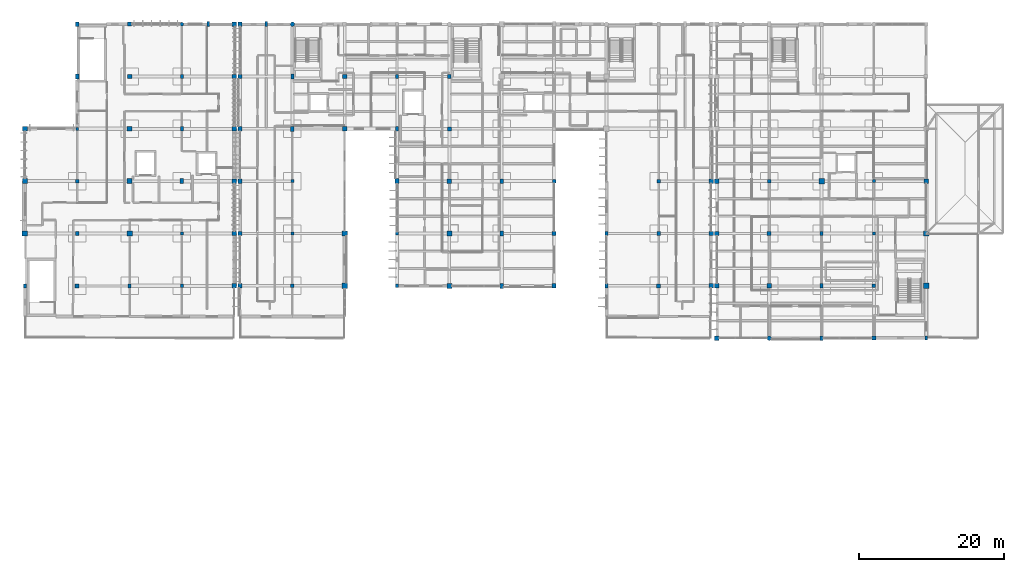
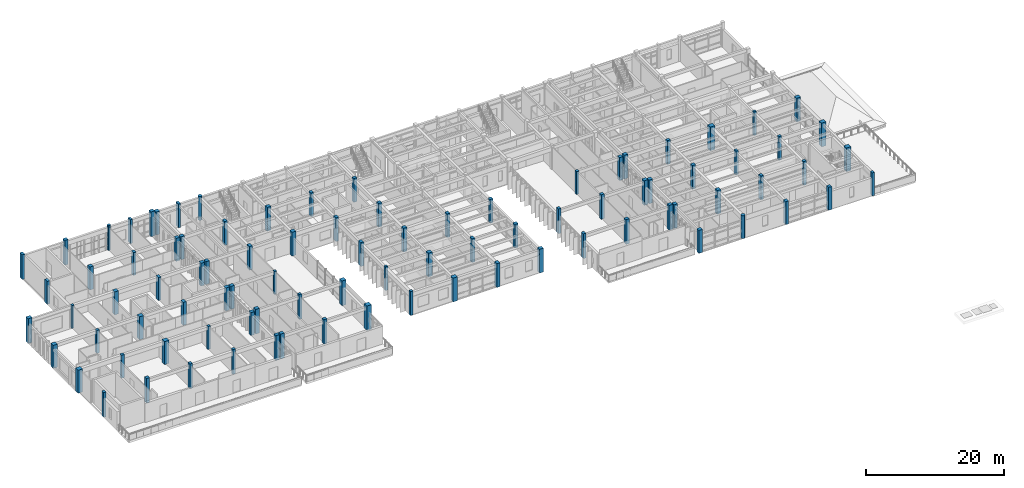
# One storey, part 1 of 55: 90 columns.
"""IFC4 building model written with IfcOpenShell, lengths in metres."""

from ifc_helpers import new_model, si_unit, direction, frame, origin, origin_2d, place, context, subcontext, project, spatial, rectangle, circle, extrude, material, material_profile, profile_set, type_object, element, save


model = new_model("IFC4")

# Units and contexts
model_context = context("Model", 3, precision=1e-05, world=origin(), true_north=direction((0.0, 1.0)))
body_context = subcontext(model_context, "Body", "Model", "MODEL_VIEW")
ifc_project = project(units=[si_unit("LENGTHUNIT", "METRE"), si_unit("AREAUNIT", "SQUARE_METRE"), si_unit("VOLUMEUNIT", "CUBIC_METRE"), si_unit("PLANEANGLEUNIT", "RADIAN"), si_unit("MASSUNIT", "GRAM", prefix="KILO")], contexts=[model_context])

# Site, building, storey
site_placement = place(None, origin())
site = spatial("IfcSite", under=ifc_project, at=site_placement, CompositionType="ELEMENT")
building_placement = place(site_placement, origin())
building = spatial("IfcBuilding", under=site, at=building_placement, Name="Steenspoor Specialist Clinic", CompositionType="ELEMENT")
storey_placement = place(building_placement, frame((0.0, 0.0, 13.199951171875)))
storey = spatial("IfcBuildingStorey", under=building, at=storey_placement, Name="L03", CompositionType="ELEMENT", Elevation=13.199951171875)

# Columns
ifc_material = material(Name="Concrete C40/50", Category="concrete")
ifc_material_profile_1 = material_profile(ifc_material, rectangle(XDim=0.39990234375, YDim=0.39990234375, at=origin_2d()), Name="RC-COL-400X400")
ifc_profile_set_1 = profile_set([ifc_material_profile_1], Name="Concrete C40/50")
column_type_1 = type_object("IfcColumnType", Name="COL-RC-400", PredefinedType="COLUMN", material=ifc_profile_set_1)
column_1_placement = place(storey_placement, frame((59.60009765625, 86.75, 0.0), z_axis=(0.0, 0.0, 1.0), x_axis=(1.0, 0.0, 0.0)))
element("IfcColumn", 1, at=column_1_placement, inside=storey, type_object=column_type_1, Name="Column COL-L03-0221", PredefinedType="COLUMN", context=body_context, shape_type="SweptSolid", body=[
    extrude(rectangle(XDim=0.39990234375, YDim=0.39990234375, at=origin_2d()), origin(), (0.0, 0.0, 1.0), 4.050048828125),
])
column_2_placement = place(storey_placement, frame((74.0, 79.550048828125, 0.0), z_axis=(0.0, 0.0, 1.0), x_axis=(1.0, 0.0, 0.0)))
element("IfcColumn", 2, at=column_2_placement, inside=storey, type_object=column_type_1, Name="Column COL-L03-0279", PredefinedType="COLUMN", context=body_context, shape_type="SweptSolid", body=[
    extrude(rectangle(XDim=0.39990234375, YDim=0.39990234375, at=origin_2d()), origin(), (0.0, 0.0, 1.0), 4.199951171875),
])
for number, where, z_axis, x_axis, name in (
    (3, (30.0, 93.949951171875, 0.0), (0.0, 0.0, 1.0), (1.0, 0.0, 0.0), "Column COL-L03-0553"),
    (4, (44.39990234375, 79.550048828125, 0.0), (0.0, 0.0, 1.0), (1.0, 0.0, 0.0), "Column COL-L03-0599"),
):
    element("IfcColumn", number, at=place(storey_placement, frame(where, z_axis=z_axis, x_axis=x_axis)), inside=storey, type_object=column_type_1, Name=name, PredefinedType="COLUMN", context=body_context, shape_type="SweptSolid", body=[
        extrude(rectangle(XDim=0.39990234375, YDim=0.39990234375, at=origin_2d()), origin(), (0.0, 0.0, 1.0), 4.050048828125),
    ])
column_3_placement = place(storey_placement, frame((139.60009765625, 86.75, 0.0), z_axis=(0.0, 0.0, 1.0), x_axis=(1.0, 0.0, 0.0)))
element("IfcColumn", 5, at=column_3_placement, inside=storey, type_object=column_type_1, Name="Column COL-L03-0762", PredefinedType="COLUMN", context=body_context, shape_type="SweptSolid", body=[
    extrude(rectangle(XDim=0.39990234375, YDim=0.39990234375, at=origin_2d()), origin(), (0.0, 0.0, 1.0), 4.199951171875),
])
ifc_material_profile_2 = material_profile(ifc_material, rectangle(XDim=0.39990234375, YDim=0.550048828125, at=origin_2d()), Name="RC-COL-400X550")
ifc_profile_set_2 = profile_set([ifc_material_profile_2], Name="Concrete C40/50")
column_type_2 = type_object("IfcColumnType", Name="COL-RC-400X550", PredefinedType="COLUMN", material=ifc_profile_set_2)
for number, where, z_axis, x_axis, name in (
    (6, (102.800048828125, 79.550048828125, 0.0), (0.0, 0.0, 1.0), (1.0, 0.0, 0.0), "Column COL-L03-0427"),
    (7, (22.800048828125, 72.35009765625, 0.0), (0.0, 0.0, 1.0), (1.0, 0.0, 0.0), "Column COL-L03-0522"),
    (8, (37.199951171875, 72.35009765625, 0.0), (0.0, 0.0, 1.0), (1.0, 0.0, 0.0), "Column COL-L03-0568"),
):
    element("IfcColumn", number, at=place(storey_placement, frame(where, z_axis=z_axis, x_axis=x_axis)), inside=storey, type_object=column_type_2, Name=name, PredefinedType="COLUMN", context=body_context, shape_type="SweptSolid", body=[
        extrude(rectangle(XDim=0.39990234375, YDim=0.550048828125, at=origin_2d()), origin(), (0.0, 0.0, 1.0), 4.360107421875),
    ])
column_4_placement = place(storey_placement, frame((132.39990234375, 79.550048828125, 0.0), z_axis=(0.0, 0.0, 1.0), x_axis=(1.0, 0.0, 0.0)))
element("IfcColumn", 9, at=column_4_placement, inside=storey, type_object=column_type_2, Name="Column COL-L03-0723", PredefinedType="COLUMN", context=body_context, shape_type="SweptSolid", body=[
    extrude(rectangle(XDim=0.39990234375, YDim=0.550048828125, at=origin_2d()), origin(), (0.0, 0.0, 1.0), 4.199951171875),
])
column_5_placement = place(storey_placement, frame((146.800048828125, 65.14990234375, 0.0), z_axis=(0.0, 0.0, 1.0), x_axis=(1.0, 0.0, 0.0)))
element("IfcColumn", 10, at=column_5_placement, inside=storey, type_object=column_type_2, Name="Column COL-L03-0780", PredefinedType="COLUMN", context=body_context, shape_type="SweptSolid", body=[
    extrude(rectangle(XDim=0.39990234375, YDim=0.550048828125, at=origin_2d()), origin(), (0.0, 0.0, 1.0), 4.050048828125),
])
ifc_material_profile_3 = material_profile(ifc_material, rectangle(XDim=0.449951171875, YDim=0.449951171875, at=origin_2d()), Name="RC-COL-450X450")
ifc_profile_set_3 = profile_set([ifc_material_profile_3], Name="Concrete C40/50")
column_type_3 = type_object("IfcColumnType", Name="COL-RC-450", PredefinedType="COLUMN", material=ifc_profile_set_3)
column_6_placement = place(storey_placement, frame((59.60009765625, 79.550048828125, 0.0), z_axis=(0.0, 0.0, 1.0), x_axis=(1.0, 0.0, 0.0)))
element("IfcColumn", 11, at=column_6_placement, inside=storey, type_object=column_type_3, Name="Column COL-L03-0217", PredefinedType="COLUMN", context=body_context, shape_type="SweptSolid", body=[
    extrude(rectangle(XDim=0.449951171875, YDim=0.449951171875, at=origin_2d()), origin(), (0.0, 0.0, 1.0), 4.360107421875),
])
column_7_placement = place(storey_placement, frame((74.0, 72.35009765625, 0.0), z_axis=(0.0, 0.0, 1.0), x_axis=(1.0, 0.0, 0.0)))
element("IfcColumn", 12, at=column_7_placement, inside=storey, type_object=column_type_3, Name="Column COL-L03-0274", PredefinedType="COLUMN", context=body_context, shape_type="SweptSolid", body=[
    extrude(rectangle(XDim=0.449951171875, YDim=0.449951171875, at=origin_2d()), origin(), (0.0, 0.0, 1.0), 4.199951171875),
])
for number, where, z_axis, x_axis, name in (
    (13, (110.0, 86.75, 0.0), (0.0, 0.0, 1.0), (1.0, 0.0, 0.0), "Column COL-L03-0460"),
    (14, (30.0, 86.75, 0.0), (0.0, 0.0, 1.0), (1.0, 0.0, 0.0), "Column COL-L03-0549"),
):
    element("IfcColumn", number, at=place(storey_placement, frame(where, z_axis=z_axis, x_axis=x_axis)), inside=storey, type_object=column_type_3, Name=name, PredefinedType="COLUMN", context=body_context, shape_type="SweptSolid", body=[
        extrude(rectangle(XDim=0.449951171875, YDim=0.449951171875, at=origin_2d()), origin(), (0.0, 0.0, 1.0), 4.050048828125),
    ])
column_8_placement = place(storey_placement, frame((44.39990234375, 72.35009765625, 0.0), z_axis=(0.0, 0.0, 1.0), x_axis=(1.0, 0.0, 0.0)))
element("IfcColumn", 15, at=column_8_placement, inside=storey, type_object=column_type_3, Name="Column COL-L03-0595", PredefinedType="COLUMN", context=body_context, shape_type="SweptSolid", body=[
    extrude(rectangle(XDim=0.449951171875, YDim=0.449951171875, at=origin_2d()), origin(), (0.0, 0.0, 1.0), 4.360107421875),
])
column_9_placement = place(storey_placement, frame((139.60009765625, 79.550048828125, 0.0), z_axis=(0.0, 0.0, 1.0), x_axis=(1.0, 0.0, 0.0)))
element("IfcColumn", 16, at=column_9_placement, inside=storey, type_object=column_type_3, Name="Column COL-L03-0757", PredefinedType="COLUMN", context=body_context, shape_type="SweptSolid", body=[
    extrude(rectangle(XDim=0.449951171875, YDim=0.449951171875, at=origin_2d()), origin(), (0.0, 0.0, 1.0), 4.199951171875),
])
ifc_material_profile_4 = material_profile(ifc_material, rectangle(XDim=0.449951171875, YDim=0.60009765625, at=origin_2d()), Name="RC-COL-450X600")
ifc_profile_set_4 = profile_set([ifc_material_profile_4], Name="Concrete C40/50")
column_type_4 = type_object("IfcColumnType", Name="COL-RC-450X600", PredefinedType="COLUMN", material=ifc_profile_set_4)
for number, where, z_axis, x_axis, name in (
    (17, (74.0, 101.14990234375, 0.0), (0.0, 0.0, 1.0), (1.0, 0.0, 0.0), "Column COL-L03-0297"),
    (18, (88.39990234375, 86.75, 0.0), (0.0, 0.0, 1.0), (1.0, 0.0, 0.0), "Column COL-L03-0359"),
):
    element("IfcColumn", number, at=place(storey_placement, frame(where, z_axis=z_axis, x_axis=x_axis)), inside=storey, type_object=column_type_4, Name=name, PredefinedType="COLUMN", context=body_context, shape_type="SweptSolid", body=[
        extrude(rectangle(XDim=0.449951171875, YDim=0.60009765625, at=origin_2d()), origin(), (0.0, 0.0, 1.0), 4.199951171875),
    ])
column_10_placement = place(storey_placement, frame((102.800048828125, 72.35009765625, 0.0), z_axis=(0.0, 0.0, 1.0), x_axis=(1.0, 0.0, 0.0)))
element("IfcColumn", 19, at=column_10_placement, inside=storey, type_object=column_type_4, Name="Column COL-L03-0423", PredefinedType="COLUMN", context=body_context, shape_type="SweptSolid", body=[
    extrude(rectangle(XDim=0.449951171875, YDim=0.60009765625, at=origin_2d()), origin(), (0.0, 0.0, 1.0), 4.360107421875),
])
column_11_placement = place(storey_placement, frame((44.39990234375, 101.14990234375, 0.0), z_axis=(0.0, 0.0, 1.0), x_axis=(1.0, 0.0, 0.0)))
element("IfcColumn", 20, at=column_11_placement, inside=storey, type_object=column_type_4, Name="Column COL-L03-0611", PredefinedType="COLUMN", context=body_context, shape_type="SweptSolid", body=[
    extrude(rectangle(XDim=0.449951171875, YDim=0.60009765625, at=origin_2d()), origin(), (0.0, 0.0, 1.0), 4.050048828125),
])
column_12_placement = place(storey_placement, frame((132.39990234375, 72.35009765625, 0.0), z_axis=(0.0, 0.0, 1.0), x_axis=(1.0, 0.0, 0.0)))
element("IfcColumn", 21, at=column_12_placement, inside=storey, type_object=column_type_4, Name="Column COL-L03-0718", PredefinedType="COLUMN", context=body_context, shape_type="SweptSolid", body=[
    extrude(rectangle(XDim=0.449951171875, YDim=0.60009765625, at=origin_2d()), origin(), (0.0, 0.0, 1.0), 4.199951171875),
])
ifc_material_profile_5 = material_profile(ifc_material, rectangle(XDim=0.449951171875, YDim=0.64990234375, at=origin_2d()), Name="RC-COL-450X650")
ifc_profile_set_5 = profile_set([ifc_material_profile_5], Name="Concrete C40/50")
column_type_5 = type_object("IfcColumnType", Name="COL-RC-450X650", PredefinedType="COLUMN", material=ifc_profile_set_5)
for number, where, z_axis, x_axis, name in (
    (22, (59.60009765625, 101.14990234375, 0.0), (0.0, 0.0, 1.0), (1.0, 0.0, 0.0), "Column COL-L03-0231"),
    (23, (74.0, 93.949951171875, 0.0), (0.0, 0.0, 1.0), (1.0, 0.0, 0.0), "Column COL-L03-0291"),
    (24, (88.39990234375, 79.550048828125, 0.0), (0.0, 0.0, 1.0), (1.0, 0.0, 0.0), "Column COL-L03-0353"),
):
    element("IfcColumn", number, at=place(storey_placement, frame(where, z_axis=z_axis, x_axis=x_axis)), inside=storey, type_object=column_type_5, Name=name, PredefinedType="COLUMN", context=body_context, shape_type="SweptSolid", body=[
        extrude(rectangle(XDim=0.449951171875, YDim=0.64990234375, at=origin_2d()), origin(), (0.0, 0.0, 1.0), 4.199951171875),
    ])
column_13_placement = place(storey_placement, frame((30.0, 108.35009765625, 0.0), z_axis=(0.0, 0.0, 1.0), x_axis=(1.0, 0.0, 0.0)))
element("IfcColumn", 25, at=column_13_placement, inside=storey, type_object=column_type_5, Name="Column COL-L03-0561", PredefinedType="COLUMN", context=body_context, shape_type="SweptSolid", body=[
    extrude(rectangle(XDim=0.449951171875, YDim=0.64990234375, at=origin_2d()), origin(), (0.0, 0.0, 1.0), 4.360107421875),
])
for number, where, z_axis, x_axis, name in (
    (26, (44.39990234375, 93.949951171875, 0.0), (0.0, 0.0, 1.0), (1.0, 0.0, 0.0), "Column COL-L03-0607"),
    (27, (132.39990234375, 65.14990234375, 0.0), (0.0, 0.0, 1.0), (1.0, 0.0, 0.0), "Column COL-L03-0714"),
):
    element("IfcColumn", number, at=place(storey_placement, frame(where, z_axis=z_axis, x_axis=x_axis)), inside=storey, type_object=column_type_5, Name=name, PredefinedType="COLUMN", context=body_context, shape_type="SweptSolid", body=[
        extrude(rectangle(XDim=0.449951171875, YDim=0.64990234375, at=origin_2d()), origin(), (0.0, 0.0, 1.0), 4.050048828125),
    ])
ifc_material_profile_6 = material_profile(ifc_material, rectangle(XDim=0.5, YDim=0.5, at=origin_2d()), Name="RC-COL-500X500")
ifc_profile_set_6 = profile_set([ifc_material_profile_6], Name="Concrete C40/50")
column_type_6 = type_object("IfcColumnType", Name="COL-RC-500", PredefinedType="COLUMN", material=ifc_profile_set_6)
column_14_placement = place(storey_placement, frame((59.60009765625, 72.35009765625, 0.0), z_axis=(0.0, 0.0, 1.0), x_axis=(1.0, 0.0, 0.0)))
element("IfcColumn", 28, at=column_14_placement, inside=storey, type_object=column_type_6, Name="Column COL-L03-0213", PredefinedType="COLUMN", context=body_context, shape_type="SweptSolid", body=[
    extrude(rectangle(XDim=0.5, YDim=0.5, at=origin_2d()), origin(), (0.0, 0.0, 1.0), 4.360107421875),
])
for number, where, z_axis, x_axis, name in (
    (29, (81.199951171875, 101.14990234375, 0.0), (0.0, 0.0, 1.0), (1.0, 0.0, 0.0), "Column COL-L03-0334"),
    (30, (95.60009765625, 86.75, 0.0), (0.0, 0.0, 1.0), (1.0, 0.0, 0.0), "Column COL-L03-0396"),
):
    element("IfcColumn", number, at=place(storey_placement, frame(where, z_axis=z_axis, x_axis=x_axis)), inside=storey, type_object=column_type_6, Name=name, PredefinedType="COLUMN", context=body_context, shape_type="SweptSolid", body=[
        extrude(rectangle(XDim=0.5, YDim=0.5, at=origin_2d()), origin(), (0.0, 0.0, 1.0), 4.199951171875),
    ])
column_15_placement = place(storey_placement, frame((110.0, 79.550048828125, 0.0), z_axis=(0.0, 0.0, 1.0), x_axis=(1.0, 0.0, 0.0)))
element("IfcColumn", 31, at=column_15_placement, inside=storey, type_object=column_type_6, Name="Column COL-L03-0456", PredefinedType="COLUMN", context=body_context, shape_type="SweptSolid", body=[
    extrude(rectangle(XDim=0.5, YDim=0.5, at=origin_2d()), origin(), (0.0, 0.0, 1.0), 4.360107421875),
])
column_16_placement = place(storey_placement, frame((30.0, 79.550048828125, 0.0), z_axis=(0.0, 0.0, 1.0), x_axis=(1.0, 0.0, 0.0)))
element("IfcColumn", 32, at=column_16_placement, inside=storey, type_object=column_type_6, Name="Column COL-L03-0545", PredefinedType="COLUMN", context=body_context, shape_type="SweptSolid", body=[
    extrude(rectangle(XDim=0.5, YDim=0.5, at=origin_2d()), origin(), (0.0, 0.0, 1.0), 4.050048828125),
])
for number, where, z_axis, x_axis, name in (
    (33, (125.199951171875, 86.75, 0.0), (0.0, 0.0, 1.0), (1.0, 0.0, 0.0), "Column COL-L03-0694"),
    (34, (139.60009765625, 72.35009765625, 0.0), (0.0, 0.0, 1.0), (1.0, 0.0, 0.0), "Column COL-L03-0752"),
):
    element("IfcColumn", number, at=place(storey_placement, frame(where, z_axis=z_axis, x_axis=x_axis)), inside=storey, type_object=column_type_6, Name=name, PredefinedType="COLUMN", context=body_context, shape_type="SweptSolid", body=[
        extrude(rectangle(XDim=0.5, YDim=0.5, at=origin_2d()), origin(), (0.0, 0.0, 1.0), 4.199951171875),
    ])
ifc_material_profile_7 = material_profile(ifc_material, rectangle(XDim=0.5, YDim=0.699951171875, at=origin_2d()), Name="RC-COL-500X700")
ifc_profile_set_7 = profile_set([ifc_material_profile_7], Name="Concrete C40/50")
column_type_7 = type_object("IfcColumnType", Name="COL-RC-500X700", PredefinedType="COLUMN", material=ifc_profile_set_7)
for number, where, z_axis, x_axis, name in (
    (35, (59.60009765625, 93.949951171875, 0.0), (0.0, 0.0, 1.0), (1.0, 0.0, 0.0), "Column COL-L03-0225"),
    (36, (74.0, 86.75, 0.0), (0.0, 0.0, 1.0), (1.0, 0.0, 0.0), "Column COL-L03-0285"),
    (37, (88.39990234375, 72.35009765625, 0.0), (0.0, 0.0, 1.0), (1.0, 0.0, 0.0), "Column COL-L03-0348"),
):
    element("IfcColumn", number, at=place(storey_placement, frame(where, z_axis=z_axis, x_axis=x_axis)), inside=storey, type_object=column_type_7, Name=name, PredefinedType="COLUMN", context=body_context, shape_type="SweptSolid", body=[
        extrude(rectangle(XDim=0.5, YDim=0.699951171875, at=origin_2d()), origin(), (0.0, 0.0, 1.0), 4.199951171875),
    ])
for number, where, z_axis, x_axis, name in (
    (38, (30.0, 101.14990234375, 0.0), (0.0, 0.0, 1.0), (1.0, 0.0, 0.0), "Column COL-L03-0557"),
    (39, (44.39990234375, 86.75, 0.0), (0.0, 0.0, 1.0), (1.0, 0.0, 0.0), "Column COL-L03-0603"),
):
    element("IfcColumn", number, at=place(storey_placement, frame(where, z_axis=z_axis, x_axis=x_axis)), inside=storey, type_object=column_type_7, Name=name, PredefinedType="COLUMN", context=body_context, shape_type="SweptSolid", body=[
        extrude(rectangle(XDim=0.5, YDim=0.699951171875, at=origin_2d()), origin(), (0.0, 0.0, 1.0), 4.050048828125),
    ])
ifc_material_profile_8 = material_profile(ifc_material, rectangle(XDim=0.550048828125, YDim=0.550048828125, at=origin_2d()), Name="RC-COL-550X550")
ifc_profile_set_8 = profile_set([ifc_material_profile_8], Name="Concrete C40/50")
column_type_8 = type_object("IfcColumnType", Name="COL-RC-550", PredefinedType="COLUMN", material=ifc_profile_set_8)
for number, where, z_axis, x_axis, name in (
    (40, (81.199951171875, 93.949951171875, 0.0), (0.0, 0.0, 1.0), (1.0, 0.0, 0.0), "Column COL-L03-0328"),
    (41, (95.60009765625, 79.550048828125, 0.0), (0.0, 0.0, 1.0), (1.0, 0.0, 0.0), "Column COL-L03-0390"),
):
    element("IfcColumn", number, at=place(storey_placement, frame(where, z_axis=z_axis, x_axis=x_axis)), inside=storey, type_object=column_type_8, Name=name, PredefinedType="COLUMN", context=body_context, shape_type="SweptSolid", body=[
        extrude(rectangle(XDim=0.550048828125, YDim=0.550048828125, at=origin_2d()), origin(), (0.0, 0.0, 1.0), 4.199951171875),
    ])
for number, where, z_axis, x_axis, name in (
    (42, (110.0, 72.35009765625, 0.0), (0.0, 0.0, 1.0), (1.0, 0.0, 0.0), "Column COL-L03-0452"),
    (43, (30.0, 72.35009765625, 0.0), (0.0, 0.0, 1.0), (1.0, 0.0, 0.0), "Column COL-L03-0541"),
    (44, (37.199951171875, 108.35009765625, 0.0), (0.0, 0.0, 1.0), (1.0, 0.0, 0.0), "Column COL-L03-0588"),
):
    element("IfcColumn", number, at=place(storey_placement, frame(where, z_axis=z_axis, x_axis=x_axis)), inside=storey, type_object=column_type_8, Name=name, PredefinedType="COLUMN", context=body_context, shape_type="SweptSolid", body=[
        extrude(rectangle(XDim=0.550048828125, YDim=0.550048828125, at=origin_2d()), origin(), (0.0, 0.0, 1.0), 4.360107421875),
    ])
column_17_placement = place(storey_placement, frame((125.199951171875, 79.550048828125, 0.0), z_axis=(0.0, 0.0, 1.0), x_axis=(1.0, 0.0, 0.0)))
element("IfcColumn", 45, at=column_17_placement, inside=storey, type_object=column_type_8, Name="Column COL-L03-0689", PredefinedType="COLUMN", context=body_context, shape_type="SweptSolid", body=[
    extrude(rectangle(XDim=0.550048828125, YDim=0.550048828125, at=origin_2d()), origin(), (0.0, 0.0, 1.0), 4.199951171875),
])
column_18_placement = place(storey_placement, frame((139.60009765625, 65.14990234375, 0.0), z_axis=(0.0, 0.0, 1.0), x_axis=(1.0, 0.0, 0.0)))
element("IfcColumn", 46, at=column_18_placement, inside=storey, type_object=column_type_8, Name="Column COL-L03-0748", PredefinedType="COLUMN", context=body_context, shape_type="SweptSolid", body=[
    extrude(rectangle(XDim=0.550048828125, YDim=0.550048828125, at=origin_2d()), origin(), (0.0, 0.0, 1.0), 4.050048828125),
])
ifc_material_profile_9 = material_profile(ifc_material, rectangle(XDim=0.60009765625, YDim=0.60009765625, at=origin_2d()), Name="RC-COL-600X600")
ifc_profile_set_9 = profile_set([ifc_material_profile_9], Name="Concrete C40/50")
column_type_9 = type_object("IfcColumnType", Name="COL-RC-600", PredefinedType="COLUMN", material=ifc_profile_set_9)
for number, where, z_axis, x_axis, name in (
    (47, (52.39990234375, 72.35009765625, 0.0), (0.0, 0.0, 1.0), (1.0, 0.0, 0.0), "Column COL-L03-0186"),
    (48, (52.39990234375, 79.550048828125, 0.0), (0.0, 0.0, 1.0), (1.0, 0.0, 0.0), "Column COL-L03-0190"),
):
    element("IfcColumn", number, at=place(storey_placement, frame(where, z_axis=z_axis, x_axis=x_axis)), inside=storey, type_object=column_type_9, Name=name, PredefinedType="COLUMN", context=body_context, shape_type="SweptSolid", body=[
        extrude(rectangle(XDim=0.60009765625, YDim=0.60009765625, at=origin_2d()), origin(), (0.0, 0.0, 1.0), 4.360107421875),
    ])
for number, where, z_axis, x_axis, name in (
    (49, (52.39990234375, 86.75, 0.0), (0.0, 0.0, 1.0), (1.0, 0.0, 0.0), "Column COL-L03-0194"),
    (50, (52.39990234375, 93.949951171875, 0.0), (0.0, 0.0, 1.0), (1.0, 0.0, 0.0), "Column COL-L03-0198"),
    (51, (52.39990234375, 101.14990234375, 0.0), (0.0, 0.0, 1.0), (1.0, 0.0, 0.0), "Column COL-L03-0202"),
    (52, (52.39990234375, 108.35009765625, 0.0), (0.0, 0.0, 1.0), (1.0, 0.0, 0.0), "Column COL-L03-0206"),
):
    element("IfcColumn", number, at=place(storey_placement, frame(where, z_axis=z_axis, x_axis=x_axis)), inside=storey, type_object=column_type_9, Name=name, PredefinedType="COLUMN", context=body_context, shape_type="SweptSolid", body=[
        extrude(rectangle(XDim=0.60009765625, YDim=0.60009765625, at=origin_2d()), origin(), (0.0, 0.0, 1.0), 4.050048828125),
    ])
for number, where, z_axis, x_axis, name in (
    (53, (66.800048828125, 101.14990234375, 0.0), (0.0, 0.0, 1.0), (1.0, 0.0, 0.0), "Column COL-L03-0260"),
    (54, (81.199951171875, 86.75, 0.0), (0.0, 0.0, 1.0), (1.0, 0.0, 0.0), "Column COL-L03-0322"),
    (55, (95.60009765625, 72.35009765625, 0.0), (0.0, 0.0, 1.0), (1.0, 0.0, 0.0), "Column COL-L03-0385"),
):
    element("IfcColumn", number, at=place(storey_placement, frame(where, z_axis=z_axis, x_axis=x_axis)), inside=storey, type_object=column_type_9, Name=name, PredefinedType="COLUMN", context=body_context, shape_type="SweptSolid", body=[
        extrude(rectangle(XDim=0.60009765625, YDim=0.60009765625, at=origin_2d()), origin(), (0.0, 0.0, 1.0), 4.199951171875),
    ])
for number, where, z_axis, x_axis, name in (
    (56, (117.199951171875, 72.35009765625, 0.0), (0.0, 0.0, 1.0), (1.0, 0.0, 0.0), "Column COL-L03-0485"),
    (57, (117.199951171875, 79.550048828125, 0.0), (0.0, 0.0, 1.0), (1.0, 0.0, 0.0), "Column COL-L03-0489"),
):
    element("IfcColumn", number, at=place(storey_placement, frame(where, z_axis=z_axis, x_axis=x_axis)), inside=storey, type_object=column_type_9, Name=name, PredefinedType="COLUMN", context=body_context, shape_type="SweptSolid", body=[
        extrude(rectangle(XDim=0.60009765625, YDim=0.60009765625, at=origin_2d()), origin(), (0.0, 0.0, 1.0), 4.360107421875),
    ])
for number, where, z_axis, x_axis, name in (
    (58, (117.199951171875, 86.75, 0.0), (0.0, 0.0, 1.0), (1.0, 0.0, 0.0), "Column COL-L03-0493"),
    (59, (37.199951171875, 101.14990234375, 0.0), (0.0, 0.0, 1.0), (1.0, 0.0, 0.0), "Column COL-L03-0584"),
):
    element("IfcColumn", number, at=place(storey_placement, frame(where, z_axis=z_axis, x_axis=x_axis)), inside=storey, type_object=column_type_9, Name=name, PredefinedType="COLUMN", context=body_context, shape_type="SweptSolid", body=[
        extrude(rectangle(XDim=0.60009765625, YDim=0.60009765625, at=origin_2d()), origin(), (0.0, 0.0, 1.0), 4.050048828125),
    ])
column_19_placement = place(storey_placement, frame((51.60009765625, 72.35009765625, 0.0), z_axis=(0.0, 0.0, 1.0), x_axis=(1.0, 0.0, 0.0)))
element("IfcColumn", 60, at=column_19_placement, inside=storey, type_object=column_type_9, Name="Column COL-L03-0622", PredefinedType="COLUMN", context=body_context, shape_type="SweptSolid", body=[
    extrude(rectangle(XDim=0.60009765625, YDim=0.60009765625, at=origin_2d()), origin(), (0.0, 0.0, 1.0), 4.360107421875),
])
for number, where, z_axis, x_axis, name in (
    (61, (51.60009765625, 79.550048828125, 0.0), (0.0, 0.0, 1.0), (1.0, 0.0, 0.0), "Column COL-L03-0626"),
    (62, (51.60009765625, 86.75, 0.0), (0.0, 0.0, 1.0), (1.0, 0.0, 0.0), "Column COL-L03-0630"),
    (63, (51.60009765625, 93.949951171875, 0.0), (0.0, 0.0, 1.0), (1.0, 0.0, 0.0), "Column COL-L03-0634"),
    (64, (51.60009765625, 101.14990234375, 0.0), (0.0, 0.0, 1.0), (1.0, 0.0, 0.0), "Column COL-L03-0638"),
):
    element("IfcColumn", number, at=place(storey_placement, frame(where, z_axis=z_axis, x_axis=x_axis)), inside=storey, type_object=column_type_9, Name=name, PredefinedType="COLUMN", context=body_context, shape_type="SweptSolid", body=[
        extrude(rectangle(XDim=0.60009765625, YDim=0.60009765625, at=origin_2d()), origin(), (0.0, 0.0, 1.0), 4.050048828125),
    ])
column_20_placement = place(storey_placement, frame((51.60009765625, 108.35009765625, 0.0), z_axis=(0.0, 0.0, 1.0), x_axis=(1.0, 0.0, 0.0)))
element("IfcColumn", 65, at=column_20_placement, inside=storey, type_object=column_type_9, Name="Column COL-L03-0642", PredefinedType="COLUMN", context=body_context, shape_type="SweptSolid", body=[
    extrude(rectangle(XDim=0.60009765625, YDim=0.60009765625, at=origin_2d()), origin(), (0.0, 0.0, 1.0), 4.360107421875),
])
column_21_placement = place(storey_placement, frame((118.0, 65.14990234375, 0.0), z_axis=(0.0, 0.0, 1.0), x_axis=(1.0, 0.0, 0.0)))
element("IfcColumn", 66, at=column_21_placement, inside=storey, type_object=column_type_9, Name="Column COL-L03-0646", PredefinedType="COLUMN", context=body_context, shape_type="SweptSolid", body=[
    extrude(rectangle(XDim=0.60009765625, YDim=0.60009765625, at=origin_2d()), origin(), (0.0, 0.0, 1.0), 4.050048828125),
])
for number, where, z_axis, x_axis, name in (
    (67, (118.0, 72.35009765625, 0.0), (0.0, 0.0, 1.0), (1.0, 0.0, 0.0), "Column COL-L03-0650"),
    (68, (118.0, 79.550048828125, 0.0), (0.0, 0.0, 1.0), (1.0, 0.0, 0.0), "Column COL-L03-0655"),
    (69, (118.0, 86.75, 0.0), (0.0, 0.0, 1.0), (1.0, 0.0, 0.0), "Column COL-L03-0660"),
    (70, (125.199951171875, 72.35009765625, 0.0), (0.0, 0.0, 1.0), (1.0, 0.0, 0.0), "Column COL-L03-0684"),
):
    element("IfcColumn", number, at=place(storey_placement, frame(where, z_axis=z_axis, x_axis=x_axis)), inside=storey, type_object=column_type_9, Name=name, PredefinedType="COLUMN", context=body_context, shape_type="SweptSolid", body=[
        extrude(rectangle(XDim=0.60009765625, YDim=0.60009765625, at=origin_2d()), origin(), (0.0, 0.0, 1.0), 4.199951171875),
    ])
ifc_material_profile_10 = material_profile(ifc_material, rectangle(XDim=0.64990234375, YDim=0.64990234375, at=origin_2d()), Name="RC-COL-650X650")
ifc_profile_set_10 = profile_set([ifc_material_profile_10], Name="Concrete C40/50")
column_type_10 = type_object("IfcColumnType", Name="COL-RC-650", PredefinedType="COLUMN", material=ifc_profile_set_10)
for number, where, z_axis, x_axis, name in (
    (71, (66.800048828125, 93.949951171875, 0.0), (0.0, 0.0, 1.0), (1.0, 0.0, 0.0), "Column COL-L03-0254"),
    (72, (81.199951171875, 79.550048828125, 0.0), (0.0, 0.0, 1.0), (1.0, 0.0, 0.0), "Column COL-L03-0316"),
):
    element("IfcColumn", number, at=place(storey_placement, frame(where, z_axis=z_axis, x_axis=x_axis)), inside=storey, type_object=column_type_10, Name=name, PredefinedType="COLUMN", context=body_context, shape_type="SweptSolid", body=[
        extrude(rectangle(XDim=0.64990234375, YDim=0.64990234375, at=origin_2d()), origin(), (0.0, 0.0, 1.0), 4.199951171875),
    ])
column_22_placement = place(storey_placement, frame((22.800048828125, 93.949951171875, 0.0), z_axis=(0.0, 0.0, 1.0), x_axis=(1.0, 0.0, 0.0)))
element("IfcColumn", 73, at=column_22_placement, inside=storey, type_object=column_type_10, Name="Column COL-L03-0534", PredefinedType="COLUMN", context=body_context, shape_type="SweptSolid", body=[
    extrude(rectangle(XDim=0.64990234375, YDim=0.64990234375, at=origin_2d()), origin(), (0.0, 0.0, 1.0), 4.360107421875),
])
column_23_placement = place(storey_placement, frame((37.199951171875, 93.949951171875, 0.0), z_axis=(0.0, 0.0, 1.0), x_axis=(1.0, 0.0, 0.0)))
element("IfcColumn", 74, at=column_23_placement, inside=storey, type_object=column_type_10, Name="Column COL-L03-0580", PredefinedType="COLUMN", context=body_context, shape_type="SweptSolid", body=[
    extrude(rectangle(XDim=0.64990234375, YDim=0.64990234375, at=origin_2d()), origin(), (0.0, 0.0, 1.0), 4.050048828125),
])
column_24_placement = place(storey_placement, frame((146.800048828125, 86.75, 0.0), z_axis=(0.0, 0.0, 1.0), x_axis=(1.0, 0.0, 0.0)))
element("IfcColumn", 75, at=column_24_placement, inside=storey, type_object=column_type_10, Name="Column COL-L03-0794", PredefinedType="COLUMN", context=body_context, shape_type="SweptSolid", body=[
    extrude(rectangle(XDim=0.64990234375, YDim=0.64990234375, at=origin_2d()), origin(), (0.0, 0.0, 1.0), 4.199951171875),
])
ifc_material_profile_11 = material_profile(ifc_material, rectangle(XDim=0.699951171875, YDim=0.699951171875, at=origin_2d()), Name="RC-COL-700X700")
ifc_profile_set_11 = profile_set([ifc_material_profile_11], Name="Concrete C40/50")
column_type_11 = type_object("IfcColumnType", Name="COL-RC-700", PredefinedType="COLUMN", material=ifc_profile_set_11)
column_25_placement = place(storey_placement, frame((66.800048828125, 79.550048828125, 0.0), z_axis=(0.0, 0.0, 1.0), x_axis=(1.0, 0.0, 0.0)))
element("IfcColumn", 76, at=column_25_placement, inside=storey, type_object=column_type_11, Name="Column COL-L03-0250", PredefinedType="COLUMN", context=body_context, shape_type="SweptSolid", body=[
    extrude(rectangle(XDim=0.699951171875, YDim=0.699951171875, at=origin_2d()), origin(), (0.0, 0.0, 1.0), 4.360107421875),
])
column_26_placement = place(storey_placement, frame((81.199951171875, 72.35009765625, 0.0), z_axis=(0.0, 0.0, 1.0), x_axis=(1.0, 0.0, 0.0)))
element("IfcColumn", 77, at=column_26_placement, inside=storey, type_object=column_type_11, Name="Column COL-L03-0311", PredefinedType="COLUMN", context=body_context, shape_type="SweptSolid", body=[
    extrude(rectangle(XDim=0.699951171875, YDim=0.699951171875, at=origin_2d()), origin(), (0.0, 0.0, 1.0), 4.199951171875),
])
for number, where, z_axis, x_axis, name in (
    (78, (22.800048828125, 86.75, 0.0), (0.0, 0.0, 1.0), (1.0, 0.0, 0.0), "Column COL-L03-0530"),
    (79, (37.199951171875, 86.75, 0.0), (0.0, 0.0, 1.0), (1.0, 0.0, 0.0), "Column COL-L03-0576"),
):
    element("IfcColumn", number, at=place(storey_placement, frame(where, z_axis=z_axis, x_axis=x_axis)), inside=storey, type_object=column_type_11, Name=name, PredefinedType="COLUMN", context=body_context, shape_type="SweptSolid", body=[
        extrude(rectangle(XDim=0.699951171875, YDim=0.699951171875, at=origin_2d()), origin(), (0.0, 0.0, 1.0), 4.050048828125),
    ])
column_27_placement = place(storey_placement, frame((146.800048828125, 79.550048828125, 0.0), z_axis=(0.0, 0.0, 1.0), x_axis=(1.0, 0.0, 0.0)))
element("IfcColumn", 80, at=column_27_placement, inside=storey, type_object=column_type_11, Name="Column COL-L03-0789", PredefinedType="COLUMN", context=body_context, shape_type="SweptSolid", body=[
    extrude(rectangle(XDim=0.699951171875, YDim=0.699951171875, at=origin_2d()), origin(), (0.0, 0.0, 1.0), 4.199951171875),
])
ifc_material_profile_12 = material_profile(ifc_material, rectangle(XDim=0.75, YDim=0.75, at=origin_2d()), Name="RC-COL-750X750")
ifc_profile_set_12 = profile_set([ifc_material_profile_12], Name="Concrete C40/50")
column_type_12 = type_object("IfcColumnType", Name="COL-RC-750", PredefinedType="COLUMN", material=ifc_profile_set_12)
column_28_placement = place(storey_placement, frame((66.800048828125, 72.35009765625, 0.0), z_axis=(0.0, 0.0, 1.0), x_axis=(1.0, 0.0, 0.0)))
element("IfcColumn", 81, at=column_28_placement, inside=storey, type_object=column_type_12, Name="Column COL-L03-0246", PredefinedType="COLUMN", context=body_context, shape_type="SweptSolid", body=[
    extrude(rectangle(XDim=0.75, YDim=0.75, at=origin_2d()), origin(), (0.0, 0.0, 1.0), 4.360107421875),
])
for number, where, z_axis, x_axis, name in (
    (82, (22.800048828125, 79.550048828125, 0.0), (0.0, 0.0, 1.0), (1.0, 0.0, 0.0), "Column COL-L03-0526"),
    (83, (37.199951171875, 79.550048828125, 0.0), (0.0, 0.0, 1.0), (1.0, 0.0, 0.0), "Column COL-L03-0572"),
):
    element("IfcColumn", number, at=place(storey_placement, frame(where, z_axis=z_axis, x_axis=x_axis)), inside=storey, type_object=column_type_12, Name=name, PredefinedType="COLUMN", context=body_context, shape_type="SweptSolid", body=[
        extrude(rectangle(XDim=0.75, YDim=0.75, at=origin_2d()), origin(), (0.0, 0.0, 1.0), 4.050048828125),
    ])
for number, where, z_axis, x_axis, name in (
    (84, (132.39990234375, 86.75, 0.0), (0.0, 0.0, 1.0), (1.0, 0.0, 0.0), "Column COL-L03-0728"),
    (85, (146.800048828125, 72.35009765625, 0.0), (0.0, 0.0, 1.0), (1.0, 0.0, 0.0), "Column COL-L03-0784"),
):
    element("IfcColumn", number, at=place(storey_placement, frame(where, z_axis=z_axis, x_axis=x_axis)), inside=storey, type_object=column_type_12, Name=name, PredefinedType="COLUMN", context=body_context, shape_type="SweptSolid", body=[
        extrude(rectangle(XDim=0.75, YDim=0.75, at=origin_2d()), origin(), (0.0, 0.0, 1.0), 4.199951171875),
    ])
ifc_material_profile_13 = material_profile(ifc_material, circle(Radius=0.25, at=origin_2d()), Name="RC-COL-D500")
ifc_profile_set_13 = profile_set([ifc_material_profile_13], Name="Concrete C40/50")
column_type_13 = type_object("IfcColumnType", Name="COL-RC-D500", PredefinedType="COLUMN", material=ifc_profile_set_13)
column_29_placement = place(storey_placement, frame((44.39990234375, 108.35009765625, 0.0), z_axis=(0.0, 0.0, 1.0), x_axis=(1.0, 0.0, 0.0)))
element("IfcColumn", 86, at=column_29_placement, inside=storey, type_object=column_type_13, Name="Column COL-L03-0615", PredefinedType="COLUMN", context=body_context, shape_type="SweptSolid", body=[
    extrude(circle(Radius=0.25, at=origin_2d()), origin(), (0.0, 0.0, 1.0), 4.360107421875),
])
ifc_material_profile_14 = material_profile(ifc_material, circle(Radius=0.300048828125, at=origin_2d()), Name="RC-COL-D600")
ifc_profile_set_14 = profile_set([ifc_material_profile_14], Name="Concrete C40/50")
column_type_14 = type_object("IfcColumnType", Name="COL-RC-D600", PredefinedType="COLUMN", material=ifc_profile_set_14)
column_30_placement = place(storey_placement, frame((59.60009765625, 108.35009765625, 0.0), z_axis=(0.0, 0.0, 1.0), x_axis=(1.0, 0.0, 0.0)))
element("IfcColumn", 87, at=column_30_placement, inside=storey, type_object=column_type_14, Name="Column COL-L03-0237", PredefinedType="COLUMN", context=body_context, shape_type="SweptSolid", body=[
    extrude(circle(Radius=0.300048828125, at=origin_2d()), origin(), (0.0, 0.0, 1.0), 4.199951171875),
])
column_31_placement = place(storey_placement, frame((125.199951171875, 65.14990234375, 0.0), z_axis=(0.0, 0.0, 1.0), x_axis=(1.0, 0.0, 0.0)))
element("IfcColumn", 88, at=column_31_placement, inside=storey, type_object=column_type_14, Name="Column COL-L03-0680", PredefinedType="COLUMN", context=body_context, shape_type="SweptSolid", body=[
    extrude(circle(Radius=0.300048828125, at=origin_2d()), origin(), (0.0, 0.0, 1.0), 4.050048828125),
])
ifc_material_profile_15 = material_profile(ifc_material, rectangle(XDim=0.340087890625, YDim=0.679931640625, at=origin_2d()), Name="RC-PIL-340X680")
ifc_profile_set_15 = profile_set([ifc_material_profile_15], Name="Concrete C40/50")
column_type_15 = type_object("IfcColumnType", Name="PIL-RC-340X680", PredefinedType="PILASTER", material=ifc_profile_set_15)
for number, where, z_axis, x_axis, name in (
    (89, (56.0, 108.35009765625, 0.0), (0.0, 0.0, 1.0), (1.0, 0.0, 0.0), "Brick Pilaster PIL-L03-016"),
    (90, (48.0, 108.35009765625, 0.0), (0.0, 0.0, 1.0), (1.0, 0.0, 0.0), "Brick Pilaster PIL-L03-036"),
):
    element("IfcColumn", number, at=place(storey_placement, frame(where, z_axis=z_axis, x_axis=x_axis)), inside=storey, type_object=column_type_15, Name=name, PredefinedType="PILASTER", context=body_context, shape_type="SweptSolid", body=[
        extrude(rectangle(XDim=0.340087890625, YDim=0.679931640625, at=origin_2d()), origin(), (0.0, 0.0, 1.0), 4.199951171875),
    ])

save(model, "model.ifc")
